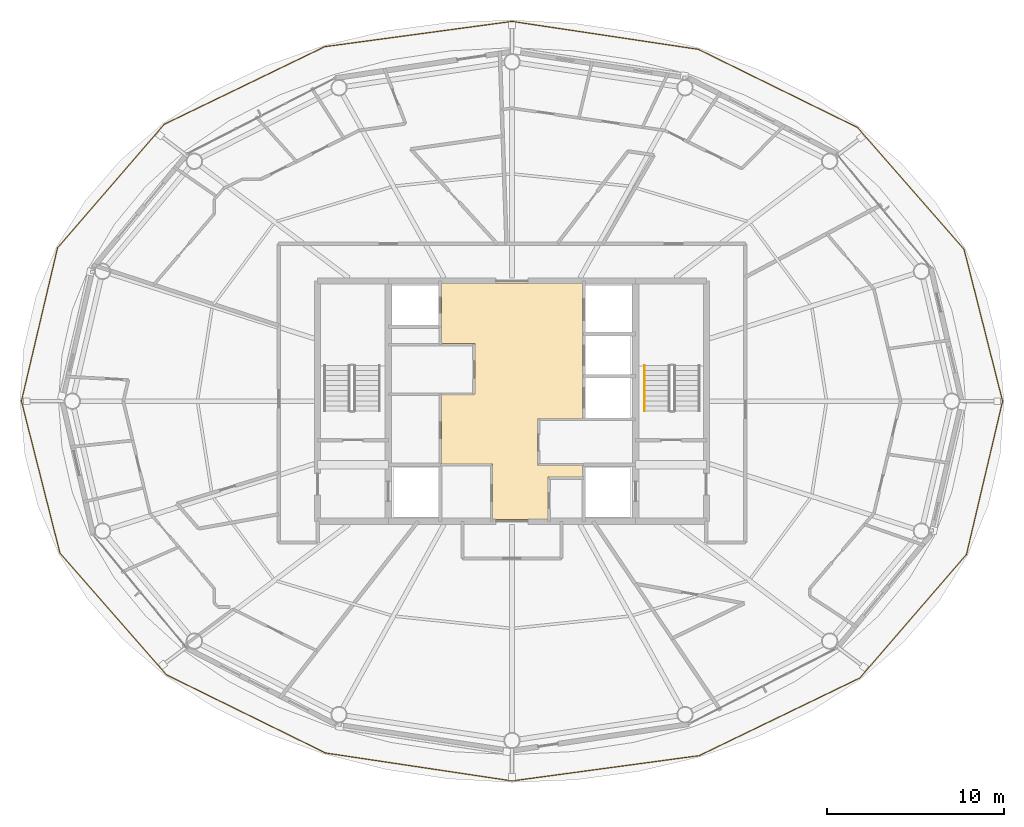
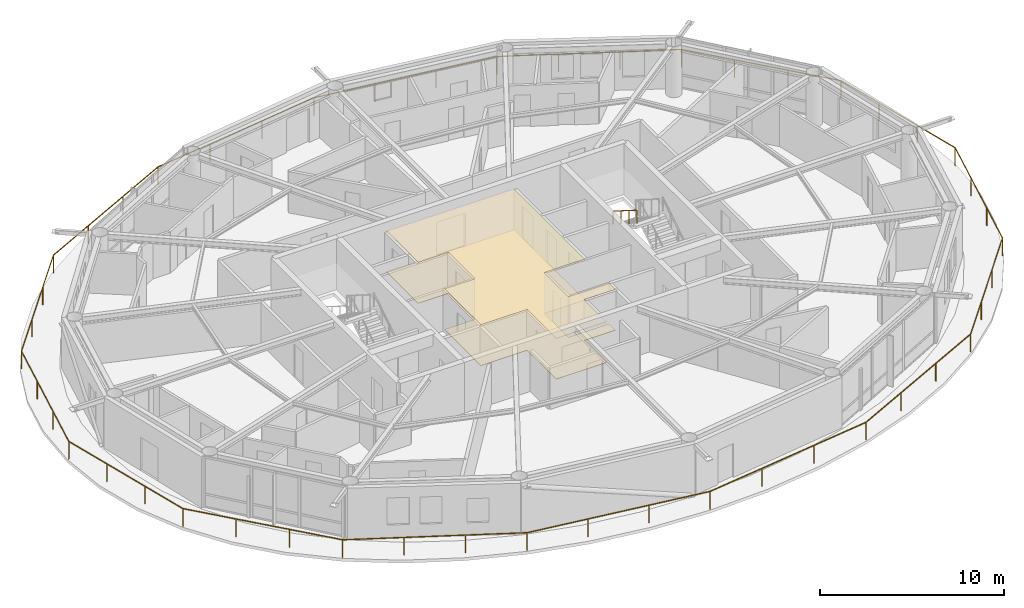
# One storey, part 21 of 22: 2 coverings, 2 railings.
"""IFC4 building model written with IfcOpenShell, lengths in metres."""

from ifc_helpers import new_model, si_unit, direction, frame, origin, origin_2d, place, context, subcontext, project, spatial, polyline, rectangle, outline, extrude, material, layer, layer_set, type_object, element, save


model = new_model("IFC4")

# Units and contexts
model_context = context("Model", 3, precision=1e-05, world=origin(), true_north=direction((0.0, 1.0)))
body_context = subcontext(model_context, "Body", "Model", "MODEL_VIEW")
ifc_project = project(units=[si_unit("LENGTHUNIT", "METRE"), si_unit("AREAUNIT", "SQUARE_METRE"), si_unit("VOLUMEUNIT", "CUBIC_METRE"), si_unit("PLANEANGLEUNIT", "RADIAN"), si_unit("MASSUNIT", "GRAM", prefix="KILO")], contexts=[model_context])

# Site, building, storey
site_placement = place(None, origin())
site = spatial("IfcSite", under=ifc_project, at=site_placement, CompositionType="ELEMENT")
building_placement = place(site_placement, origin())
building = spatial("IfcBuilding", under=site, at=building_placement, Name="Sarneth Arch Tower", CompositionType="ELEMENT")
storey_placement = place(building_placement, frame((0.0, 0.0, 291.0)))
storey = spatial("IfcBuildingStorey", under=building, at=storey_placement, Name="L75", CompositionType="ELEMENT", Elevation=291.0)

# Coverings
ifc_material_1 = material(Name="Perforated acoustic gypsum ceiling board")
ifc_layer_1 = layer(ifc_material_1, 0.02490234375)
ifc_layer_set_1 = layer_set([ifc_layer_1], Name="Perforated acoustic gypsum ceiling board")
covering_type_1 = type_object("IfcCoveringType", Name="COV-CEIL-GYP", PredefinedType="CEILING", material=ifc_layer_set_1)
covering_1_placement = place(storey_placement, frame((0.0, 0.0, 2.699951171875)))
element("IfcCovering", 1, at=covering_1_placement, inside=storey, type_object=covering_type_1, Name="L75 Lift lobby acoustic ceiling", PredefinedType="CEILING", context=body_context, shape_type="SweptSolid", body=[
    extrude(outline(polyline([(52.0, 41.0), (49.449951171875, 41.0), (49.449951171875, 38.39990234375), (52.0, 38.39990234375), (52.0, 37.699951171875), (50.050048828125, 37.699951171875), (50.050048828125, 35.300048828125), (46.89990234375, 35.300048828125), (46.89990234375, 38.449951171875), (44.0, 38.449951171875), (44.0, 42.39990234375), (45.89990234375, 42.39990234375), (45.89990234375, 45.25), (44.0, 45.25), (44.0, 48.699951171875), (52.0, 48.699951171875), (52.0, 41.0)])), origin(), (0.0, 0.0, 1.0), 0.030029296875),
])
ifc_material_2 = material(Name="Honed granite stone flooring", Category="masonry")
ifc_layer_2 = layer(ifc_material_2, 0.030029296875)
ifc_layer_set_2 = layer_set([ifc_layer_2], Name="Honed granite stone flooring")
covering_type_2 = type_object("IfcCoveringType", Name="COV-FLR-STONE", PredefinedType="FLOORING", material=ifc_layer_set_2)
covering_2_placement = place(storey_placement, origin())
element("IfcCovering", 2, at=covering_2_placement, inside=storey, type_object=covering_type_2, Name="L75 Lift lobby granite flooring", PredefinedType="FLOORING", context=body_context, shape_type="SweptSolid", body=[
    extrude(outline(polyline([(52.0, 41.0), (49.449951171875, 41.0), (49.449951171875, 38.39990234375), (52.0, 38.39990234375), (52.0, 37.699951171875), (50.050048828125, 37.699951171875), (50.050048828125, 35.300048828125), (46.89990234375, 35.300048828125), (46.89990234375, 38.449951171875), (44.0, 38.449951171875), (44.0, 42.39990234375), (45.89990234375, 42.39990234375), (45.89990234375, 45.25), (44.0, 45.25), (44.0, 48.699951171875), (52.0, 48.699951171875), (52.0, 41.0)])), origin(), (0.0, 0.0, 1.0), 0.030029296875),
])

# Railings
ifc_material_3 = material(Name="Laminated structural glass infill with Stainless Steel 316 top rail and posts", Category="steel")
railing_type_1 = type_object("IfcRailingType", Name="RAIL-BALC-1200", PredefinedType="BALUSTRADE", material=ifc_material_3)
railing_1_placement = place(storey_placement, frame((75.76123046875, 42.0, 0.0)))
element("IfcRailing", 3, at=railing_1_placement, inside=storey, type_object=railing_type_1, Name="L75 Helical balcony glass balustrade", PredefinedType="BALUSTRADE", context=body_context, shape_type="SweptSolid", body=[
    extrude(rectangle(XDim=0.048095703125, YDim=0.048095703125, at=origin_2d()), frame((0.0, 0.0, 1.17578125), z_axis=(-0.245960897038, 0.969279751737, 0.0), x_axis=(-0.969279751737, -0.245960897038, 0.0)), (0.0, 0.0, 1.0), 8.867919921875),
    extrude(rectangle(XDim=0.048095703125, YDim=0.048095703125, at=origin_2d()), frame((-2.18115234375, 8.595458984375, 1.17578125), z_axis=(-0.658502720584, 0.752578346077, 0.0), x_axis=(-0.752578346077, -0.658502720584, 0.0)), (0.0, 0.0, 1.0), 9.158203125),
    extrude(rectangle(XDim=0.048095703125, YDim=0.048095703125, at=origin_2d()), frame((-8.2119140625, 15.48779296875, 1.17578125), z_axis=(-0.897612110429, 0.440786228473, 0.0), x_axis=(-0.440786228473, -0.897612110429, 0.0)), (0.0, 0.0, 1.0), 10.03076171875),
    extrude(rectangle(XDim=0.048095703125, YDim=0.048095703125, at=origin_2d()), frame((-17.215576171875, 19.9091796875, 1.17578125), z_axis=(-0.98895733488, 0.148200505352, 0.0), x_axis=(-0.148200505352, -0.98895733488, 0.0)), (0.0, 0.0, 1.0), 10.663330078125),
    extrude(rectangle(XDim=0.048095703125, YDim=0.048095703125, at=origin_2d()), frame((-27.76123046875, 21.489501953125, 1.17578125), z_axis=(-0.991008316824, -0.133800283949, 0.0), x_axis=(0.133800283949, -0.991008316824, 0.0)), (0.0, 0.0, 1.0), 10.68896484375),
    extrude(rectangle(XDim=0.048095703125, YDim=0.048095703125, at=origin_2d()), frame((-38.35400390625, 20.059326171875, 1.17578125), z_axis=(-0.900329529862, -0.435208843726, 0.0), x_axis=(0.435208843726, -0.900329529862, 0.0)), (0.0, 0.0, 1.0), 10.096435546875),
    extrude(rectangle(XDim=0.048095703125, YDim=0.048095703125, at=origin_2d()), frame((-47.444091796875, 15.665283203125, 1.17578125), z_axis=(-0.653317036561, -0.757084440297, 0.0), x_axis=(0.757084440297, -0.653317036561, 0.0)), (0.0, 0.0, 1.0), 9.237060546875),
    extrude(rectangle(XDim=0.048095703125, YDim=0.048095703125, at=origin_2d()), frame((-53.478759765625, 8.672119140625, 1.17578125), z_axis=(-0.229379909775, -0.973336969909, 0.0), x_axis=(0.973336969909, -0.229379909775, 0.0)), (0.0, 0.0, 1.0), 8.90966796875),
    extrude(rectangle(XDim=0.048095703125, YDim=0.048095703125, at=origin_2d()), frame((-55.5224609375, 0.0, 1.17578125), z_axis=(0.245960897038, -0.969279751737, 0.0), x_axis=(0.969279751737, 0.245960897038, 0.0)), (0.0, 0.0, 1.0), 8.867919921875),
    extrude(rectangle(XDim=0.048095703125, YDim=0.048095703125, at=origin_2d()), frame((-53.34130859375, -8.595458984375, 1.17578125), z_axis=(0.658502720584, -0.752578346077, 0.0), x_axis=(0.752578346077, 0.658502720584, 0.0)), (0.0, 0.0, 1.0), 9.158203125),
    extrude(rectangle(XDim=0.048095703125, YDim=0.048095703125, at=origin_2d()), frame((-47.310546875, -15.48779296875, 1.17578125), z_axis=(0.897612110429, -0.440786228473, 0.0), x_axis=(0.440786228473, 0.897612110429, 0.0)), (0.0, 0.0, 1.0), 10.03076171875),
    extrude(rectangle(XDim=0.048095703125, YDim=0.048095703125, at=origin_2d()), frame((-38.306884765625, -19.9091796875, 1.17578125), z_axis=(0.98895733488, -0.148200505352, 0.0), x_axis=(0.148200505352, 0.98895733488, 0.0)), (0.0, 0.0, 1.0), 10.663330078125),
    extrude(rectangle(XDim=0.048095703125, YDim=0.048095703125, at=origin_2d()), frame((-27.76123046875, -21.489501953125, 1.17578125), z_axis=(0.991008316824, 0.133800283949, 0.0), x_axis=(-0.133800283949, 0.991008316824, 0.0)), (0.0, 0.0, 1.0), 10.68896484375),
    extrude(rectangle(XDim=0.048095703125, YDim=0.048095703125, at=origin_2d()), frame((-17.16845703125, -20.059326171875, 1.17578125), z_axis=(0.900329529862, 0.435208843726, 0.0), x_axis=(-0.435208843726, 0.900329529862, 0.0)), (0.0, 0.0, 1.0), 10.096435546875),
    extrude(rectangle(XDim=0.048095703125, YDim=0.048095703125, at=origin_2d()), frame((-8.078369140625, -15.665283203125, 1.17578125), z_axis=(0.653317036561, 0.757084440297, 0.0), x_axis=(-0.757084440297, 0.653317036561, 0.0)), (0.0, 0.0, 1.0), 9.237060546875),
    extrude(rectangle(XDim=0.048095703125, YDim=0.048095703125, at=origin_2d()), frame((-2.043701171875, -8.672119140625, 1.17578125), z_axis=(0.229379909775, 0.973336969909, 0.0), x_axis=(-0.973336969909, 0.229379909775, 0.0)), (0.0, 0.0, 1.0), 8.90966796875),
    extrude(rectangle(XDim=0.0419921875, YDim=0.0419921875, at=origin_2d()), origin(), (0.0, 0.0, 1.0), 1.15185546875),
    extrude(rectangle(XDim=0.0419921875, YDim=0.0419921875, at=origin_2d()), frame((-0.72705078125, 2.865234375, 0.0)), (0.0, 0.0, 1.0), 1.15185546875),
    extrude(rectangle(XDim=0.0419921875, YDim=0.0419921875, at=origin_2d()), frame((-1.4541015625, 5.730224609375, 0.0)), (0.0, 0.0, 1.0), 1.15185546875),
    extrude(rectangle(XDim=0.0419921875, YDim=0.0419921875, at=origin_2d()), frame((-2.18115234375, 8.595458984375, 0.0)), (0.0, 0.0, 1.0), 1.15185546875),
    extrude(rectangle(XDim=0.0419921875, YDim=0.0419921875, at=origin_2d()), frame((-4.19140625, 10.892822265625, 0.0)), (0.0, 0.0, 1.0), 1.15185546875),
    extrude(rectangle(XDim=0.0419921875, YDim=0.0419921875, at=origin_2d()), frame((-6.20166015625, 13.1904296875, 0.0)), (0.0, 0.0, 1.0), 1.15185546875),
    extrude(rectangle(XDim=0.0419921875, YDim=0.0419921875, at=origin_2d()), frame((-8.2119140625, 15.48779296875, 0.0)), (0.0, 0.0, 1.0), 1.15185546875),
    extrude(rectangle(XDim=0.0419921875, YDim=0.0419921875, at=origin_2d()), frame((-11.213134765625, 16.961669921875, 0.0)), (0.0, 0.0, 1.0), 1.15185546875),
    extrude(rectangle(XDim=0.0419921875, YDim=0.0419921875, at=origin_2d()), frame((-14.21435546875, 18.435302734375, 0.0)), (0.0, 0.0, 1.0), 1.15185546875),
    extrude(rectangle(XDim=0.0419921875, YDim=0.0419921875, at=origin_2d()), frame((-17.215576171875, 19.9091796875, 0.0)), (0.0, 0.0, 1.0), 1.15185546875),
    extrude(rectangle(XDim=0.0419921875, YDim=0.0419921875, at=origin_2d()), frame((-20.730712890625, 20.43603515625, 0.0)), (0.0, 0.0, 1.0), 1.15185546875),
    extrude(rectangle(XDim=0.0419921875, YDim=0.0419921875, at=origin_2d()), frame((-24.24609375, 20.962646484375, 0.0)), (0.0, 0.0, 1.0), 1.15185546875),
    extrude(rectangle(XDim=0.0419921875, YDim=0.0419921875, at=origin_2d()), frame((-27.76123046875, 21.489501953125, 0.0)), (0.0, 0.0, 1.0), 1.15185546875),
    extrude(rectangle(XDim=0.0419921875, YDim=0.0419921875, at=origin_2d()), frame((-31.292236328125, 21.0126953125, 0.0)), (0.0, 0.0, 1.0), 1.15185546875),
    extrude(rectangle(XDim=0.0419921875, YDim=0.0419921875, at=origin_2d()), frame((-34.822998046875, 20.5361328125, 0.0)), (0.0, 0.0, 1.0), 1.15185546875),
    extrude(rectangle(XDim=0.0419921875, YDim=0.0419921875, at=origin_2d()), frame((-38.35400390625, 20.059326171875, 0.0)), (0.0, 0.0, 1.0), 1.15185546875),
    extrude(rectangle(XDim=0.0419921875, YDim=0.0419921875, at=origin_2d()), frame((-41.384033203125, 18.5947265625, 0.0)), (0.0, 0.0, 1.0), 1.15185546875),
    extrude(rectangle(XDim=0.0419921875, YDim=0.0419921875, at=origin_2d()), frame((-44.4140625, 17.1298828125, 0.0)), (0.0, 0.0, 1.0), 1.15185546875),
    extrude(rectangle(XDim=0.0419921875, YDim=0.0419921875, at=origin_2d()), frame((-47.444091796875, 15.665283203125, 0.0)), (0.0, 0.0, 1.0), 1.15185546875),
    extrude(rectangle(XDim=0.0419921875, YDim=0.0419921875, at=origin_2d()), frame((-49.45556640625, 13.334228515625, 0.0)), (0.0, 0.0, 1.0), 1.15185546875),
    extrude(rectangle(XDim=0.0419921875, YDim=0.0419921875, at=origin_2d()), frame((-51.46728515625, 11.003173828125, 0.0)), (0.0, 0.0, 1.0), 1.15185546875),
    extrude(rectangle(XDim=0.0419921875, YDim=0.0419921875, at=origin_2d()), frame((-53.478759765625, 8.672119140625, 0.0)), (0.0, 0.0, 1.0), 1.15185546875),
    extrude(rectangle(XDim=0.0419921875, YDim=0.0419921875, at=origin_2d()), frame((-54.159912109375, 5.781494140625, 0.0)), (0.0, 0.0, 1.0), 1.15185546875),
    extrude(rectangle(XDim=0.0419921875, YDim=0.0419921875, at=origin_2d()), frame((-54.84130859375, 2.890625, 0.0)), (0.0, 0.0, 1.0), 1.15185546875),
    extrude(rectangle(XDim=0.0419921875, YDim=0.0419921875, at=origin_2d()), frame((-55.5224609375, 0.0, 0.0)), (0.0, 0.0, 1.0), 1.15185546875),
    extrude(rectangle(XDim=0.0419921875, YDim=0.0419921875, at=origin_2d()), frame((-54.79541015625, -2.865234375, 0.0)), (0.0, 0.0, 1.0), 1.15185546875),
    extrude(rectangle(XDim=0.0419921875, YDim=0.0419921875, at=origin_2d()), frame((-54.068359375, -5.730224609375, 0.0)), (0.0, 0.0, 1.0), 1.15185546875),
    extrude(rectangle(XDim=0.0419921875, YDim=0.0419921875, at=origin_2d()), frame((-53.34130859375, -8.595458984375, 0.0)), (0.0, 0.0, 1.0), 1.15185546875),
    extrude(rectangle(XDim=0.0419921875, YDim=0.0419921875, at=origin_2d()), frame((-51.3310546875, -10.892822265625, 0.0)), (0.0, 0.0, 1.0), 1.15185546875),
    extrude(rectangle(XDim=0.0419921875, YDim=0.0419921875, at=origin_2d()), frame((-49.32080078125, -13.1904296875, 0.0)), (0.0, 0.0, 1.0), 1.15185546875),
    extrude(rectangle(XDim=0.0419921875, YDim=0.0419921875, at=origin_2d()), frame((-47.310546875, -15.48779296875, 0.0)), (0.0, 0.0, 1.0), 1.15185546875),
    extrude(rectangle(XDim=0.0419921875, YDim=0.0419921875, at=origin_2d()), frame((-44.309326171875, -16.961669921875, 0.0)), (0.0, 0.0, 1.0), 1.15185546875),
    extrude(rectangle(XDim=0.0419921875, YDim=0.0419921875, at=origin_2d()), frame((-41.30810546875, -18.435302734375, 0.0)), (0.0, 0.0, 1.0), 1.15185546875),
    extrude(rectangle(XDim=0.0419921875, YDim=0.0419921875, at=origin_2d()), frame((-38.306884765625, -19.9091796875, 0.0)), (0.0, 0.0, 1.0), 1.15185546875),
    extrude(rectangle(XDim=0.0419921875, YDim=0.0419921875, at=origin_2d()), frame((-34.791748046875, -20.43603515625, 0.0)), (0.0, 0.0, 1.0), 1.15185546875),
    extrude(rectangle(XDim=0.0419921875, YDim=0.0419921875, at=origin_2d()), frame((-31.2763671875, -20.962646484375, 0.0)), (0.0, 0.0, 1.0), 1.15185546875),
    extrude(rectangle(XDim=0.0419921875, YDim=0.0419921875, at=origin_2d()), frame((-27.76123046875, -21.489501953125, 0.0)), (0.0, 0.0, 1.0), 1.15185546875),
    extrude(rectangle(XDim=0.0419921875, YDim=0.0419921875, at=origin_2d()), frame((-24.230224609375, -21.0126953125, 0.0)), (0.0, 0.0, 1.0), 1.15185546875),
    extrude(rectangle(XDim=0.0419921875, YDim=0.0419921875, at=origin_2d()), frame((-20.699462890625, -20.5361328125, 0.0)), (0.0, 0.0, 1.0), 1.15185546875),
    extrude(rectangle(XDim=0.0419921875, YDim=0.0419921875, at=origin_2d()), frame((-17.16845703125, -20.059326171875, 0.0)), (0.0, 0.0, 1.0), 1.15185546875),
    extrude(rectangle(XDim=0.0419921875, YDim=0.0419921875, at=origin_2d()), frame((-14.138427734375, -18.5947265625, 0.0)), (0.0, 0.0, 1.0), 1.15185546875),
    extrude(rectangle(XDim=0.0419921875, YDim=0.0419921875, at=origin_2d()), frame((-11.1083984375, -17.1298828125, 0.0)), (0.0, 0.0, 1.0), 1.15185546875),
    extrude(rectangle(XDim=0.0419921875, YDim=0.0419921875, at=origin_2d()), frame((-8.078369140625, -15.665283203125, 0.0)), (0.0, 0.0, 1.0), 1.15185546875),
    extrude(rectangle(XDim=0.0419921875, YDim=0.0419921875, at=origin_2d()), frame((-6.06689453125, -13.334228515625, 0.0)), (0.0, 0.0, 1.0), 1.15185546875),
    extrude(rectangle(XDim=0.0419921875, YDim=0.0419921875, at=origin_2d()), frame((-4.05517578125, -11.003173828125, 0.0)), (0.0, 0.0, 1.0), 1.15185546875),
    extrude(rectangle(XDim=0.0419921875, YDim=0.0419921875, at=origin_2d()), frame((-2.043701171875, -8.672119140625, 0.0)), (0.0, 0.0, 1.0), 1.15185546875),
    extrude(rectangle(XDim=0.0419921875, YDim=0.0419921875, at=origin_2d()), frame((-1.362548828125, -5.781494140625, 0.0)), (0.0, 0.0, 1.0), 1.15185546875),
    extrude(rectangle(XDim=0.0419921875, YDim=0.0419921875, at=origin_2d()), frame((-0.68115234375, -2.890625, 0.0)), (0.0, 0.0, 1.0), 1.15185546875),
])
ifc_material_4 = material(Name="Brushed Stainless Steel 304 tubular handrail", Category="steel")
railing_type_2 = type_object("IfcRailingType", Name="RAIL-HANDRAIL-900", PredefinedType="HANDRAIL", material=ifc_material_4)
railing_2_placement = place(storey_placement, frame((55.5, 44.014892578125, 1.97998046875)))
element("IfcRailing", 4, at=railing_2_placement, inside=storey, type_object=railing_type_2, Name="L75 ST-2 stair handrail 2", PredefinedType="HANDRAIL", context=body_context, shape_type="SweptSolid", body=[
    extrude(rectangle(XDim=0.048095703125, YDim=0.048095703125, at=origin_2d()), frame((0.0, 0.0, 0.8759765625), z_axis=(0.0, -0.845465955043, 0.534029323973), x_axis=(1.0, 0.0, 0.0)), (0.0, 0.0, 1.0), 3.03369140625),
    extrude(rectangle(XDim=0.0419921875, YDim=0.0419921875, at=origin_2d()), origin(), (0.0, 0.0, 1.0), 0.851806640625),
    extrude(rectangle(XDim=0.0419921875, YDim=0.0419921875, at=origin_2d()), frame((0.0, -0.85498046875, 0.5400390625)), (0.0, 0.0, 1.0), 0.851806640625),
    extrude(rectangle(XDim=0.0419921875, YDim=0.0419921875, at=origin_2d()), frame((0.0, -1.7099609375, 1.080078125)), (0.0, 0.0, 1.0), 0.851806640625),
    extrude(rectangle(XDim=0.0419921875, YDim=0.0419921875, at=origin_2d()), frame((0.0, -2.56494140625, 1.6201171875)), (0.0, 0.0, 1.0), 0.851806640625),
])

save(model, "model.ifc")
